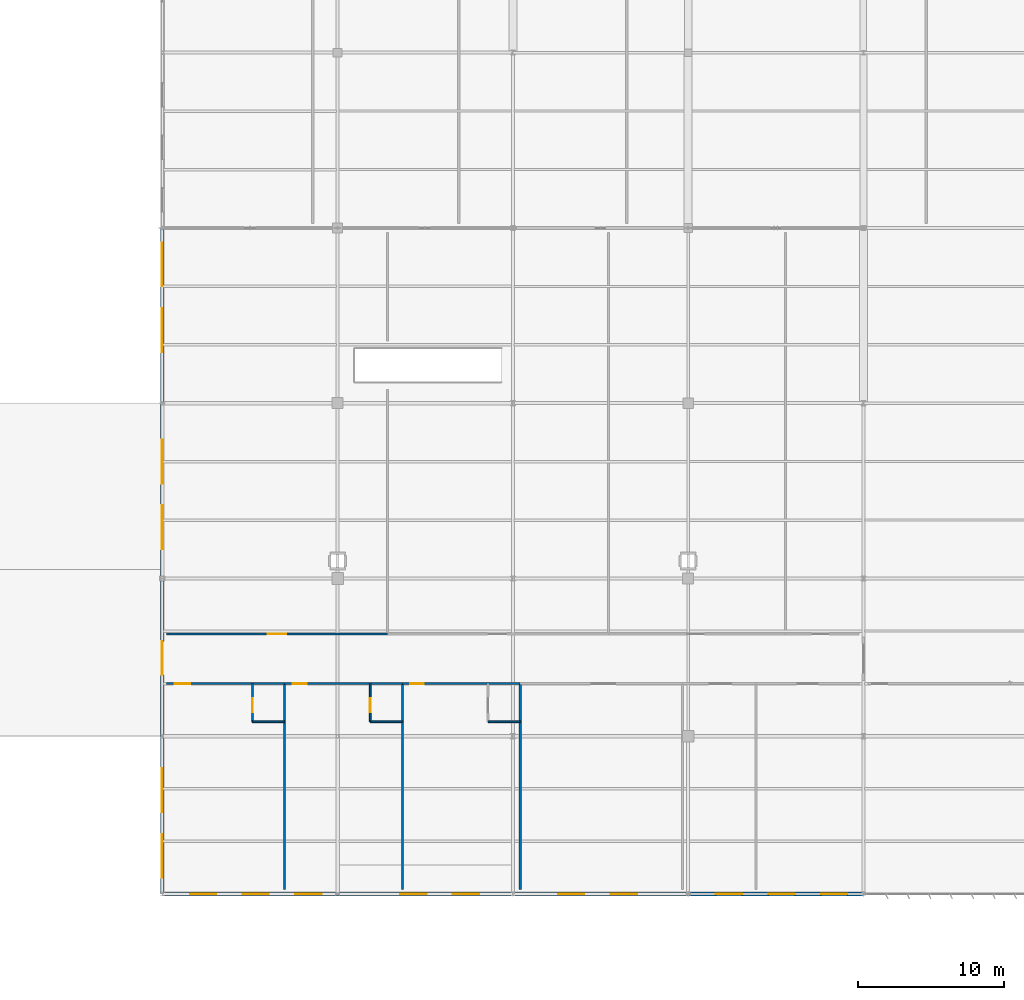
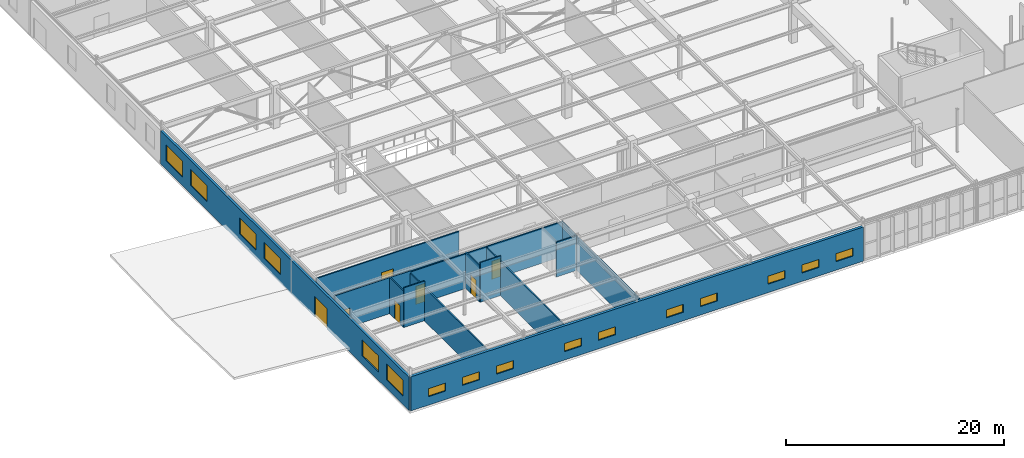
# One storey, part 159 of 199: 16 windows, 14 walls, 7 doors, 23 openings.
"""IFC4 building model written with IfcOpenShell, lengths in metres."""

from ifc_helpers import new_model, si_unit, direction, frame, frame_2d, origin, place, context, subcontext, project, spatial, rectangle, extrude, material, layer, layer_set, type_object, element, fill, save


model = new_model("IFC4")

# Units and contexts
model_context = context("Model", 3, precision=1e-05, world=origin(), true_north=direction((0.0, 1.0)))
body_context = subcontext(model_context, "Body", "Model", "MODEL_VIEW")
ifc_project = project(units=[si_unit("LENGTHUNIT", "METRE"), si_unit("AREAUNIT", "SQUARE_METRE"), si_unit("VOLUMEUNIT", "CUBIC_METRE"), si_unit("PLANEANGLEUNIT", "RADIAN"), si_unit("MASSUNIT", "GRAM", prefix="KILO")], contexts=[model_context])

# Site, building, storey
site_placement = place(None, origin())
site = spatial("IfcSite", under=ifc_project, at=site_placement, CompositionType="ELEMENT")
building_placement = place(site_placement, origin())
building = spatial("IfcBuilding", under=site, at=building_placement, Name="Tarnwether General Hospital", CompositionType="ELEMENT")
storey_placement = place(building_placement, origin())
storey = spatial("IfcBuildingStorey", under=building, at=storey_placement, Name="L00", CompositionType="ELEMENT", Elevation=0.0)

# Wall, openings, door, windows
ifc_material_1 = material(Name="Folded zinc-titanium cladding")
ifc_layer_1 = layer(ifc_material_1, 0.239990234375)
ifc_layer_set_1 = layer_set([ifc_layer_1], Name="Folded zinc-titanium cladding")
wall_type_1 = type_object("IfcWallType", Name="WL-EX240", PredefinedType="STANDARD", material=ifc_layer_set_1)
wall_1_placement = place(storey_placement, frame((0.0, 0.0, 0.0), z_axis=(0.0, 0.0, 1.0), x_axis=(0.0, 1.0, 0.0)))
wall_1 = element("IfcWall", 1, at=wall_1_placement, inside=storey, type_object=wall_type_1, Name="L00 West Scarp Overlook Wall EW-L00-0280", PredefinedType="STANDARD", context=body_context, shape_type="SweptSolid", body=[
    extrude(rectangle(XDim=45.60009765625, YDim=0.239990234375, at=frame_2d((22.800048828125, 0.0))), origin(), (0.0, 0.0, 1.0), 3.738037109375),
])
opening_1_placement = place(wall_1_placement, frame((15.0, 0.0, 0.0)))
opening_1 = element("IfcOpeningElement", 2, at=opening_1_placement, cuts=wall_1, Name="Opening ED-02", PredefinedType="OPENING", context=body_context, shape_type="SweptSolid", body=[
    extrude(rectangle(XDim=2.300048828125, YDim=2.300048828125, at=frame_2d((1.14990234375, 1.14990234375))), frame((0.0, 0.1298828125, 0.0), z_axis=(0.0, -1.0, 0.0), x_axis=(1.0, 0.0, 0.0)), (0.0, 0.0, 1.0), 0.260009765625),
])
opening_2_placement = place(wall_1_placement, frame((1.10009765625, 0.0, 0.949951171875)))
opening_2 = element("IfcOpeningElement", 3, at=opening_2_placement, cuts=wall_1, Name="Opening W-12", PredefinedType="OPENING", context=body_context, shape_type="SweptSolid", body=[
    extrude(rectangle(XDim=3.0, YDim=1.800048828125, at=frame_2d((1.5, 0.89990234375))), frame((0.0, 0.1298828125, 0.0), z_axis=(0.0, -1.0, 0.0), x_axis=(1.0, 0.0, 0.0)), (0.0, 0.0, 1.0), 0.260009765625),
])
opening_3_placement = place(wall_1_placement, frame((5.60009765625, 0.0, 0.949951171875)))
opening_3 = element("IfcOpeningElement", 4, at=opening_3_placement, cuts=wall_1, Name="Opening W-12", PredefinedType="OPENING", context=body_context, shape_type="SweptSolid", body=[
    extrude(rectangle(XDim=3.0, YDim=1.800048828125, at=frame_2d((1.5, 0.89990234375))), frame((0.0, 0.1298828125, 0.0), z_axis=(0.0, -1.0, 0.0), x_axis=(1.0, 0.0, 0.0)), (0.0, 0.0, 1.0), 0.260009765625),
])
opening_4_placement = place(wall_1_placement, frame((23.60009765625, 0.0, 0.949951171875)))
opening_4 = element("IfcOpeningElement", 5, at=opening_4_placement, cuts=wall_1, Name="Opening W-12", PredefinedType="OPENING", context=body_context, shape_type="SweptSolid", body=[
    extrude(rectangle(XDim=3.0, YDim=1.800048828125, at=frame_2d((1.5, 0.89990234375))), frame((0.0, 0.1298828125, 0.0), z_axis=(0.0, -1.0, 0.0), x_axis=(1.0, 0.0, 0.0)), (0.0, 0.0, 1.0), 0.260009765625),
])
opening_5_placement = place(wall_1_placement, frame((28.10009765625, 0.0, 0.949951171875)))
opening_5 = element("IfcOpeningElement", 6, at=opening_5_placement, cuts=wall_1, Name="Opening W-12", PredefinedType="OPENING", context=body_context, shape_type="SweptSolid", body=[
    extrude(rectangle(XDim=3.0, YDim=1.800048828125, at=frame_2d((1.5, 0.89990234375))), frame((0.0, 0.1298828125, 0.0), z_axis=(0.0, -1.0, 0.0), x_axis=(1.0, 0.0, 0.0)), (0.0, 0.0, 1.0), 0.260009765625),
])
opening_6_placement = place(wall_1_placement, frame((37.10009765625, 0.0, 0.949951171875)))
opening_6 = element("IfcOpeningElement", 7, at=opening_6_placement, cuts=wall_1, Name="Opening W-12", PredefinedType="OPENING", context=body_context, shape_type="SweptSolid", body=[
    extrude(rectangle(XDim=3.0, YDim=1.800048828125, at=frame_2d((1.5, 0.89990234375))), frame((0.0, 0.1298828125, 0.0), z_axis=(0.0, -1.0, 0.0), x_axis=(1.0, 0.0, 0.0)), (0.0, 0.0, 1.0), 0.260009765625),
])
opening_7_placement = place(wall_1_placement, frame((41.60009765625, 0.0, 0.949951171875)))
opening_7 = element("IfcOpeningElement", 8, at=opening_7_placement, cuts=wall_1, Name="Opening W-12", PredefinedType="OPENING", context=body_context, shape_type="SweptSolid", body=[
    extrude(rectangle(XDim=3.0, YDim=1.800048828125, at=frame_2d((1.5, 0.89990234375))), frame((0.0, 0.1298828125, 0.0), z_axis=(0.0, -1.0, 0.0), x_axis=(1.0, 0.0, 0.0)), (0.0, 0.0, 1.0), 0.260009765625),
])
ifc_material_2 = material(Name="Anodised aluminium", Category="aluminium")
door_type_1 = type_object("IfcDoorType", Name="DR-EX02", OperationType="NOTDEFINED", PredefinedType="DOOR", material=ifc_material_2)
door_1_placement = place(opening_1_placement, origin())
door_1 = element("IfcDoor", 9, at=door_1_placement, inside=storey, type_object=door_type_1, Name="L00 West ED Protected Exit Door ED-L00-0010", OperationType="DOUBLE_DOOR_SINGLE_SWING", OverallHeight=2.300048828125, OverallWidth=2.300048828125, PredefinedType="DOOR", context=body_context, shape_type="SweptSolid", body=[
    extrude(rectangle(XDim=2.300048828125, YDim=2.300048828125, at=frame_2d((1.14990234375, 1.14990234375))), frame((0.0, 0.02490234375, 0.0), z_axis=(0.0, -1.0, 0.0), x_axis=(1.0, 0.0, 0.0)), (0.0, 0.0, 1.0), 0.050048828125),
])
fill(opening_1, door_1)
ifc_material_3 = material(Name="Double glazed low-E glass", Category="glass")
window_type_1 = type_object("IfcWindowType", Name="WN-12", PartitioningType="TRIPLE_PANEL_VERTICAL", PredefinedType="WINDOW", material=ifc_material_3)
window_1_placement = place(opening_2_placement, origin())
window_1 = element("IfcWindow", 10, at=window_1_placement, inside=storey, type_object=window_type_1, Name="Window WN-L00-0013", OverallHeight=1.800048828125, OverallWidth=3.0, PartitioningType="TRIPLE_PANEL_VERTICAL", PredefinedType="WINDOW", context=body_context, shape_type="SweptSolid", body=[
    extrude(rectangle(XDim=3.0, YDim=1.800048828125, at=frame_2d((1.5, 0.89990234375))), frame((0.0, 0.030029296875, 0.0), z_axis=(0.0, -1.0, 0.0), x_axis=(1.0, 0.0, 0.0)), (0.0, 0.0, 1.0), 0.06005859375),
])
fill(opening_2, window_1)
window_2_placement = place(opening_3_placement, origin())
window_2 = element("IfcWindow", 11, at=window_2_placement, inside=storey, type_object=window_type_1, Name="Window WN-L00-0014", OverallHeight=1.800048828125, OverallWidth=3.0, PartitioningType="TRIPLE_PANEL_VERTICAL", PredefinedType="WINDOW", context=body_context, shape_type="SweptSolid", body=[
    extrude(rectangle(XDim=3.0, YDim=1.800048828125, at=frame_2d((1.5, 0.89990234375))), frame((0.0, 0.030029296875, 0.0), z_axis=(0.0, -1.0, 0.0), x_axis=(1.0, 0.0, 0.0)), (0.0, 0.0, 1.0), 0.06005859375),
])
fill(opening_3, window_2)
window_3_placement = place(opening_4_placement, origin())
window_3 = element("IfcWindow", 12, at=window_3_placement, inside=storey, type_object=window_type_1, Name="Window WN-L00-0015", OverallHeight=1.800048828125, OverallWidth=3.0, PartitioningType="TRIPLE_PANEL_VERTICAL", PredefinedType="WINDOW", context=body_context, shape_type="SweptSolid", body=[
    extrude(rectangle(XDim=3.0, YDim=1.800048828125, at=frame_2d((1.5, 0.89990234375))), frame((0.0, 0.030029296875, 0.0), z_axis=(0.0, -1.0, 0.0), x_axis=(1.0, 0.0, 0.0)), (0.0, 0.0, 1.0), 0.06005859375),
])
fill(opening_4, window_3)
window_4_placement = place(opening_5_placement, origin())
window_4 = element("IfcWindow", 13, at=window_4_placement, inside=storey, type_object=window_type_1, Name="Window WN-L00-0016", OverallHeight=1.800048828125, OverallWidth=3.0, PartitioningType="TRIPLE_PANEL_VERTICAL", PredefinedType="WINDOW", context=body_context, shape_type="SweptSolid", body=[
    extrude(rectangle(XDim=3.0, YDim=1.800048828125, at=frame_2d((1.5, 0.89990234375))), frame((0.0, 0.030029296875, 0.0), z_axis=(0.0, -1.0, 0.0), x_axis=(1.0, 0.0, 0.0)), (0.0, 0.0, 1.0), 0.06005859375),
])
fill(opening_5, window_4)
window_5_placement = place(opening_6_placement, origin())
window_5 = element("IfcWindow", 14, at=window_5_placement, inside=storey, type_object=window_type_1, Name="Window WN-L00-0017", OverallHeight=1.800048828125, OverallWidth=3.0, PartitioningType="TRIPLE_PANEL_VERTICAL", PredefinedType="WINDOW", context=body_context, shape_type="SweptSolid", body=[
    extrude(rectangle(XDim=3.0, YDim=1.800048828125, at=frame_2d((1.5, 0.89990234375))), frame((0.0, 0.030029296875, 0.0), z_axis=(0.0, -1.0, 0.0), x_axis=(1.0, 0.0, 0.0)), (0.0, 0.0, 1.0), 0.06005859375),
])
fill(opening_6, window_5)
window_6_placement = place(opening_7_placement, origin())
window_6 = element("IfcWindow", 15, at=window_6_placement, inside=storey, type_object=window_type_1, Name="Window WN-L00-0018", OverallHeight=1.800048828125, OverallWidth=3.0, PartitioningType="TRIPLE_PANEL_VERTICAL", PredefinedType="WINDOW", context=body_context, shape_type="SweptSolid", body=[
    extrude(rectangle(XDim=3.0, YDim=1.800048828125, at=frame_2d((1.5, 0.89990234375))), frame((0.0, 0.030029296875, 0.0), z_axis=(0.0, -1.0, 0.0), x_axis=(1.0, 0.0, 0.0)), (0.0, 0.0, 1.0), 0.06005859375),
])
fill(opening_7, window_6)

# Wall, openings, windows
ifc_material_4 = material(Name="Precast concrete 40 MPa", Category="concrete")
ifc_layer_2 = layer(ifc_material_4, 0.280029296875)
ifc_layer_set_2 = layer_set([ifc_layer_2], Name="Precast concrete 40 MPa")
wall_type_2 = type_object("IfcWallType", Name="WL-EX280", PredefinedType="STANDARD", material=ifc_layer_set_2)
wall_2_placement = place(storey_placement, frame((48.0, 0.0, 0.0), z_axis=(0.0, 0.0, 1.0), x_axis=(-1.0, 0.0, 0.0)))
wall_2 = element("IfcWall", 16, at=wall_2_placement, inside=storey, type_object=wall_type_2, Name="L00 South Street Wall EW-L00-0287", PredefinedType="STANDARD", context=body_context, shape_type="SweptSolid", body=[
    extrude(rectangle(XDim=48.0, YDim=0.280029296875, at=frame_2d((24.0, 0.0))), origin(), (0.0, 0.0, 1.0), 3.827880859375),
])
opening_8_placement = place(wall_2_placement, frame((1.10009765625, 0.0, 0.949951171875)))
opening_8 = element("IfcOpeningElement", 17, at=opening_8_placement, cuts=wall_2, Name="Opening W-18", PredefinedType="OPENING", context=body_context, shape_type="SweptSolid", body=[
    extrude(rectangle(XDim=1.800048828125, YDim=0.89990234375, at=frame_2d((0.89990234375, 0.449951171875))), frame((0.0, 0.14990234375, 0.0), z_axis=(0.0, -1.0, 0.0), x_axis=(1.0, 0.0, 0.0)), (0.0, 0.0, 1.0), 0.300048828125),
])
opening_9_placement = place(wall_2_placement, frame((4.699951171875, 0.0, 0.949951171875)))
opening_9 = element("IfcOpeningElement", 18, at=opening_9_placement, cuts=wall_2, Name="Opening W-18", PredefinedType="OPENING", context=body_context, shape_type="SweptSolid", body=[
    extrude(rectangle(XDim=1.800048828125, YDim=0.89990234375, at=frame_2d((0.89990234375, 0.449951171875))), frame((0.0, 0.14990234375, 0.0), z_axis=(0.0, -1.0, 0.0), x_axis=(1.0, 0.0, 0.0)), (0.0, 0.0, 1.0), 0.300048828125),
])
opening_10_placement = place(wall_2_placement, frame((8.300048828125, 0.0, 0.949951171875)))
opening_10 = element("IfcOpeningElement", 19, at=opening_10_placement, cuts=wall_2, Name="Opening W-18", PredefinedType="OPENING", context=body_context, shape_type="SweptSolid", body=[
    extrude(rectangle(XDim=1.800048828125, YDim=0.89990234375, at=frame_2d((0.89990234375, 0.449951171875))), frame((0.0, 0.14990234375, 0.0), z_axis=(0.0, -1.0, 0.0), x_axis=(1.0, 0.0, 0.0)), (0.0, 0.0, 1.0), 0.300048828125),
])
opening_11_placement = place(wall_2_placement, frame((15.5, 0.0, 0.949951171875)))
opening_11 = element("IfcOpeningElement", 20, at=opening_11_placement, cuts=wall_2, Name="Opening W-18", PredefinedType="OPENING", context=body_context, shape_type="SweptSolid", body=[
    extrude(rectangle(XDim=1.800048828125, YDim=0.89990234375, at=frame_2d((0.89990234375, 0.449951171875))), frame((0.0, 0.14990234375, 0.0), z_axis=(0.0, -1.0, 0.0), x_axis=(1.0, 0.0, 0.0)), (0.0, 0.0, 1.0), 0.300048828125),
])
opening_12_placement = place(wall_2_placement, frame((19.10009765625, 0.0, 0.949951171875)))
opening_12 = element("IfcOpeningElement", 21, at=opening_12_placement, cuts=wall_2, Name="Opening W-18", PredefinedType="OPENING", context=body_context, shape_type="SweptSolid", body=[
    extrude(rectangle(XDim=1.800048828125, YDim=0.89990234375, at=frame_2d((0.89990234375, 0.449951171875))), frame((0.0, 0.14990234375, 0.0), z_axis=(0.0, -1.0, 0.0), x_axis=(1.0, 0.0, 0.0)), (0.0, 0.0, 1.0), 0.300048828125),
])
opening_13_placement = place(wall_2_placement, frame((26.300048828125, 0.0, 0.949951171875)))
opening_13 = element("IfcOpeningElement", 22, at=opening_13_placement, cuts=wall_2, Name="Opening W-18", PredefinedType="OPENING", context=body_context, shape_type="SweptSolid", body=[
    extrude(rectangle(XDim=1.800048828125, YDim=0.89990234375, at=frame_2d((0.89990234375, 0.449951171875))), frame((0.0, 0.14990234375, 0.0), z_axis=(0.0, -1.0, 0.0), x_axis=(1.0, 0.0, 0.0)), (0.0, 0.0, 1.0), 0.300048828125),
])
opening_14_placement = place(wall_2_placement, frame((29.89990234375, 0.0, 0.949951171875)))
opening_14 = element("IfcOpeningElement", 23, at=opening_14_placement, cuts=wall_2, Name="Opening W-18", PredefinedType="OPENING", context=body_context, shape_type="SweptSolid", body=[
    extrude(rectangle(XDim=1.800048828125, YDim=0.89990234375, at=frame_2d((0.89990234375, 0.449951171875))), frame((0.0, 0.14990234375, 0.0), z_axis=(0.0, -1.0, 0.0), x_axis=(1.0, 0.0, 0.0)), (0.0, 0.0, 1.0), 0.300048828125),
])
opening_15_placement = place(wall_2_placement, frame((37.10009765625, 0.0, 0.949951171875)))
opening_15 = element("IfcOpeningElement", 24, at=opening_15_placement, cuts=wall_2, Name="Opening W-18", PredefinedType="OPENING", context=body_context, shape_type="SweptSolid", body=[
    extrude(rectangle(XDim=1.800048828125, YDim=0.89990234375, at=frame_2d((0.89990234375, 0.449951171875))), frame((0.0, 0.14990234375, 0.0), z_axis=(0.0, -1.0, 0.0), x_axis=(1.0, 0.0, 0.0)), (0.0, 0.0, 1.0), 0.300048828125),
])
opening_16_placement = place(wall_2_placement, frame((40.699951171875, 0.0, 0.949951171875)))
opening_16 = element("IfcOpeningElement", 25, at=opening_16_placement, cuts=wall_2, Name="Opening W-18", PredefinedType="OPENING", context=body_context, shape_type="SweptSolid", body=[
    extrude(rectangle(XDim=1.800048828125, YDim=0.89990234375, at=frame_2d((0.89990234375, 0.449951171875))), frame((0.0, 0.14990234375, 0.0), z_axis=(0.0, -1.0, 0.0), x_axis=(1.0, 0.0, 0.0)), (0.0, 0.0, 1.0), 0.300048828125),
])
opening_17_placement = place(wall_2_placement, frame((44.300048828125, 0.0, 0.949951171875)))
opening_17 = element("IfcOpeningElement", 26, at=opening_17_placement, cuts=wall_2, Name="Opening W-18", PredefinedType="OPENING", context=body_context, shape_type="SweptSolid", body=[
    extrude(rectangle(XDim=1.800048828125, YDim=0.89990234375, at=frame_2d((0.89990234375, 0.449951171875))), frame((0.0, 0.14990234375, 0.0), z_axis=(0.0, -1.0, 0.0), x_axis=(1.0, 0.0, 0.0)), (0.0, 0.0, 1.0), 0.300048828125),
])
ifc_material_5 = material(Name="Double glazed low-E glass", Category="glass")
window_type_2 = type_object("IfcWindowType", Name="WN-18", PartitioningType="DOUBLE_PANEL_HORIZONTAL", PredefinedType="WINDOW", material=ifc_material_5)
window_7_placement = place(opening_8_placement, origin())
window_7 = element("IfcWindow", 27, at=window_7_placement, inside=storey, type_object=window_type_2, Name="Window WN-L00-0046", OverallHeight=0.89990234375, OverallWidth=1.800048828125, PartitioningType="DOUBLE_PANEL_HORIZONTAL", PredefinedType="WINDOW", context=body_context, shape_type="SweptSolid", body=[
    extrude(rectangle(XDim=1.800048828125, YDim=0.89990234375, at=frame_2d((0.89990234375, 0.449951171875))), frame((0.0, 0.030029296875, 0.0), z_axis=(0.0, -1.0, 0.0), x_axis=(1.0, 0.0, 0.0)), (0.0, 0.0, 1.0), 0.06005859375),
])
fill(opening_8, window_7)
window_8_placement = place(opening_9_placement, origin())
window_8 = element("IfcWindow", 28, at=window_8_placement, inside=storey, type_object=window_type_2, Name="Window WN-L00-0047", OverallHeight=0.89990234375, OverallWidth=1.800048828125, PartitioningType="DOUBLE_PANEL_HORIZONTAL", PredefinedType="WINDOW", context=body_context, shape_type="SweptSolid", body=[
    extrude(rectangle(XDim=1.800048828125, YDim=0.89990234375, at=frame_2d((0.89990234375, 0.449951171875))), frame((0.0, 0.030029296875, 0.0), z_axis=(0.0, -1.0, 0.0), x_axis=(1.0, 0.0, 0.0)), (0.0, 0.0, 1.0), 0.06005859375),
])
fill(opening_9, window_8)
window_9_placement = place(opening_10_placement, origin())
window_9 = element("IfcWindow", 29, at=window_9_placement, inside=storey, type_object=window_type_2, Name="Window WN-L00-0048", OverallHeight=0.89990234375, OverallWidth=1.800048828125, PartitioningType="DOUBLE_PANEL_HORIZONTAL", PredefinedType="WINDOW", context=body_context, shape_type="SweptSolid", body=[
    extrude(rectangle(XDim=1.800048828125, YDim=0.89990234375, at=frame_2d((0.89990234375, 0.449951171875))), frame((0.0, 0.030029296875, 0.0), z_axis=(0.0, -1.0, 0.0), x_axis=(1.0, 0.0, 0.0)), (0.0, 0.0, 1.0), 0.06005859375),
])
fill(opening_10, window_9)
window_10_placement = place(opening_11_placement, origin())
window_10 = element("IfcWindow", 30, at=window_10_placement, inside=storey, type_object=window_type_2, Name="Window WN-L00-0049", OverallHeight=0.89990234375, OverallWidth=1.800048828125, PartitioningType="DOUBLE_PANEL_HORIZONTAL", PredefinedType="WINDOW", context=body_context, shape_type="SweptSolid", body=[
    extrude(rectangle(XDim=1.800048828125, YDim=0.89990234375, at=frame_2d((0.89990234375, 0.449951171875))), frame((0.0, 0.030029296875, 0.0), z_axis=(0.0, -1.0, 0.0), x_axis=(1.0, 0.0, 0.0)), (0.0, 0.0, 1.0), 0.06005859375),
])
fill(opening_11, window_10)
window_11_placement = place(opening_12_placement, origin())
window_11 = element("IfcWindow", 31, at=window_11_placement, inside=storey, type_object=window_type_2, Name="Window WN-L00-0050", OverallHeight=0.89990234375, OverallWidth=1.800048828125, PartitioningType="DOUBLE_PANEL_HORIZONTAL", PredefinedType="WINDOW", context=body_context, shape_type="SweptSolid", body=[
    extrude(rectangle(XDim=1.800048828125, YDim=0.89990234375, at=frame_2d((0.89990234375, 0.449951171875))), frame((0.0, 0.030029296875, 0.0), z_axis=(0.0, -1.0, 0.0), x_axis=(1.0, 0.0, 0.0)), (0.0, 0.0, 1.0), 0.06005859375),
])
fill(opening_12, window_11)
window_12_placement = place(opening_13_placement, origin())
window_12 = element("IfcWindow", 32, at=window_12_placement, inside=storey, type_object=window_type_2, Name="Window WN-L00-0051", OverallHeight=0.89990234375, OverallWidth=1.800048828125, PartitioningType="DOUBLE_PANEL_HORIZONTAL", PredefinedType="WINDOW", context=body_context, shape_type="SweptSolid", body=[
    extrude(rectangle(XDim=1.800048828125, YDim=0.89990234375, at=frame_2d((0.89990234375, 0.449951171875))), frame((0.0, 0.030029296875, 0.0), z_axis=(0.0, -1.0, 0.0), x_axis=(1.0, 0.0, 0.0)), (0.0, 0.0, 1.0), 0.06005859375),
])
fill(opening_13, window_12)
window_13_placement = place(opening_14_placement, origin())
window_13 = element("IfcWindow", 33, at=window_13_placement, inside=storey, type_object=window_type_2, Name="Window WN-L00-0052", OverallHeight=0.89990234375, OverallWidth=1.800048828125, PartitioningType="DOUBLE_PANEL_HORIZONTAL", PredefinedType="WINDOW", context=body_context, shape_type="SweptSolid", body=[
    extrude(rectangle(XDim=1.800048828125, YDim=0.89990234375, at=frame_2d((0.89990234375, 0.449951171875))), frame((0.0, 0.030029296875, 0.0), z_axis=(0.0, -1.0, 0.0), x_axis=(1.0, 0.0, 0.0)), (0.0, 0.0, 1.0), 0.06005859375),
])
fill(opening_14, window_13)
window_14_placement = place(opening_15_placement, origin())
window_14 = element("IfcWindow", 34, at=window_14_placement, inside=storey, type_object=window_type_2, Name="Window WN-L00-0053", OverallHeight=0.89990234375, OverallWidth=1.800048828125, PartitioningType="DOUBLE_PANEL_HORIZONTAL", PredefinedType="WINDOW", context=body_context, shape_type="SweptSolid", body=[
    extrude(rectangle(XDim=1.800048828125, YDim=0.89990234375, at=frame_2d((0.89990234375, 0.449951171875))), frame((0.0, 0.030029296875, 0.0), z_axis=(0.0, -1.0, 0.0), x_axis=(1.0, 0.0, 0.0)), (0.0, 0.0, 1.0), 0.06005859375),
])
fill(opening_15, window_14)
window_15_placement = place(opening_16_placement, origin())
window_15 = element("IfcWindow", 35, at=window_15_placement, inside=storey, type_object=window_type_2, Name="Window WN-L00-0054", OverallHeight=0.89990234375, OverallWidth=1.800048828125, PartitioningType="DOUBLE_PANEL_HORIZONTAL", PredefinedType="WINDOW", context=body_context, shape_type="SweptSolid", body=[
    extrude(rectangle(XDim=1.800048828125, YDim=0.89990234375, at=frame_2d((0.89990234375, 0.449951171875))), frame((0.0, 0.030029296875, 0.0), z_axis=(0.0, -1.0, 0.0), x_axis=(1.0, 0.0, 0.0)), (0.0, 0.0, 1.0), 0.06005859375),
])
fill(opening_16, window_15)
window_16_placement = place(opening_17_placement, origin())
window_16 = element("IfcWindow", 36, at=window_16_placement, inside=storey, type_object=window_type_2, Name="Window WN-L00-0055", OverallHeight=0.89990234375, OverallWidth=1.800048828125, PartitioningType="DOUBLE_PANEL_HORIZONTAL", PredefinedType="WINDOW", context=body_context, shape_type="SweptSolid", body=[
    extrude(rectangle(XDim=1.800048828125, YDim=0.89990234375, at=frame_2d((0.89990234375, 0.449951171875))), frame((0.0, 0.030029296875, 0.0), z_axis=(0.0, -1.0, 0.0), x_axis=(1.0, 0.0, 0.0)), (0.0, 0.0, 1.0), 0.06005859375),
])
fill(opening_17, window_16)

# Wall, opening, door
ifc_material_6 = material(Name="Gypsum plasterboard")
ifc_layer_3 = layer(ifc_material_6, 0.1201171875)
ifc_layer_set_3 = layer_set([ifc_layer_3], Name="Gypsum plasterboard")
wall_type_3 = type_object("IfcWallType", Name="WL-PT120", PredefinedType="PARTITIONING", material=ifc_layer_set_3)
wall_3_placement = place(storey_placement, frame((6.16796875, 11.800048828125, 0.0), z_axis=(0.0, 0.0, 1.0), x_axis=(0.0, 1.0, 0.0)))
wall_3 = element("IfcWall", 37, at=wall_3_placement, inside=storey, type_object=wall_type_3, Name="Interior Partition PT-L00-0063", PredefinedType="PARTITIONING", context=body_context, shape_type="SweptSolid", body=[
    extrude(rectangle(XDim=2.599853515625, YDim=0.1201171875, at=frame_2d((1.2998046875, 0.0))), origin(), (0.0, 0.0, 1.0), 4.071044921875),
])
opening_18_placement = place(wall_3_placement, frame((0.64990234375, 0.0, 0.0)))
opening_18 = element("IfcOpeningElement", 38, at=opening_18_placement, cuts=wall_3, Name="Opening D-10", PredefinedType="OPENING", context=body_context, shape_type="SweptSolid", body=[
    extrude(rectangle(XDim=0.9599609375, YDim=2.06005859375, at=frame_2d((0.47998046875, 1.030029296875))), frame((0.0, 0.070068359375, 0.0), z_axis=(0.0, -1.0, 0.0), x_axis=(1.0, 0.0, 0.0)), (0.0, 0.0, 1.0), 0.14013671875),
])
ifc_material_7 = material(Name="Anodised aluminium", Category="aluminium")
door_type_2 = type_object("IfcDoorType", Name="DR-IN10", OperationType="NOTDEFINED", PredefinedType="DOOR", material=ifc_material_7)
door_2_placement = place(opening_18_placement, origin())
door_2 = element("IfcDoor", 39, at=door_2_placement, inside=storey, type_object=door_type_2, Name="Interior Door DR-L00-0037", OperationType="SINGLE_SWING_LEFT", OverallHeight=2.06005859375, OverallWidth=0.9599609375, PredefinedType="DOOR", context=body_context, shape_type="SweptSolid", body=[
    extrude(rectangle(XDim=0.9599609375, YDim=2.06005859375, at=frame_2d((0.47998046875, 1.030029296875))), frame((0.0, 0.02490234375, 0.0), z_axis=(0.0, -1.0, 0.0), x_axis=(1.0, 0.0, 0.0)), (0.0, 0.0, 1.0), 0.050048828125),
])
fill(opening_18, door_2)

# Wall
wall_4_placement = place(storey_placement, frame((6.16796875, 11.800048828125, 0.0), z_axis=(0.0, 0.0, 1.0), x_axis=(1.0, 0.0, 0.0)))
element("IfcWall", 40, at=wall_4_placement, inside=storey, type_object=wall_type_3, Name="Interior Partition PT-L00-0064", PredefinedType="PARTITIONING", context=body_context, shape_type="SweptSolid", body=[
    extrude(rectangle(XDim=2.199951171875, YDim=0.1201171875, at=frame_2d((1.10009765625, 0.0))), origin(), (0.0, 0.0, 1.0), 4.445068359375),
])

# Wall, opening, door
wall_5_placement = place(storey_placement, frame((14.236083984375, 11.800048828125, 0.0), z_axis=(0.0, 0.0, 1.0), x_axis=(0.0, 1.0, 0.0)))
wall_5 = element("IfcWall", 41, at=wall_5_placement, inside=storey, type_object=wall_type_3, Name="Interior Partition PT-L00-0067", PredefinedType="PARTITIONING", context=body_context, shape_type="SweptSolid", body=[
    extrude(rectangle(XDim=2.599853515625, YDim=0.1201171875, at=frame_2d((1.2998046875, 0.0))), origin(), (0.0, 0.0, 1.0), 4.073974609375),
])
opening_19_placement = place(wall_5_placement, frame((0.64990234375, 0.0, 0.0)))
opening_19 = element("IfcOpeningElement", 42, at=opening_19_placement, cuts=wall_5, Name="Opening D-10", PredefinedType="OPENING", context=body_context, shape_type="SweptSolid", body=[
    extrude(rectangle(XDim=0.9599609375, YDim=2.06005859375, at=frame_2d((0.47998046875, 1.030029296875))), frame((0.0, 0.070068359375, 0.0), z_axis=(0.0, -1.0, 0.0), x_axis=(1.0, 0.0, 0.0)), (0.0, 0.0, 1.0), 0.14013671875),
])
door_3_placement = place(opening_19_placement, origin())
door_3 = element("IfcDoor", 43, at=door_3_placement, inside=storey, type_object=door_type_2, Name="Interior Door DR-L00-0039", OperationType="SINGLE_SWING_LEFT", OverallHeight=2.06005859375, OverallWidth=0.9599609375, PredefinedType="DOOR", context=body_context, shape_type="SweptSolid", body=[
    extrude(rectangle(XDim=0.9599609375, YDim=2.06005859375, at=frame_2d((0.47998046875, 1.030029296875))), frame((0.0, 0.02490234375, 0.0), z_axis=(0.0, -1.0, 0.0), x_axis=(1.0, 0.0, 0.0)), (0.0, 0.0, 1.0), 0.050048828125),
])
fill(opening_19, door_3)

# Walls
wall_6_placement = place(storey_placement, frame((14.236083984375, 11.800048828125, 0.0), z_axis=(0.0, 0.0, 1.0), x_axis=(1.0, 0.0, 0.0)))
element("IfcWall", 44, at=wall_6_placement, inside=storey, type_object=wall_type_3, Name="Interior Partition PT-L00-0068", PredefinedType="PARTITIONING", context=body_context, shape_type="SweptSolid", body=[
    extrude(rectangle(XDim=2.199951171875, YDim=0.1201171875, at=frame_2d((1.10009765625, 0.0))), origin(), (0.0, 0.0, 1.0), 4.445068359375),
])
wall_7_placement = place(storey_placement, frame((22.303955078125, 11.800048828125, 0.0), z_axis=(0.0, 0.0, 1.0), x_axis=(1.0, 0.0, 0.0)))
element("IfcWall", 45, at=wall_7_placement, inside=storey, type_object=wall_type_3, Name="Interior Partition PT-L00-0072", PredefinedType="PARTITIONING", context=body_context, shape_type="SweptSolid", body=[
    extrude(rectangle(XDim=2.199951171875, YDim=0.1201171875, at=frame_2d((1.10009765625, 0.0))), origin(), (0.0, 0.0, 1.0), 3.902099609375),
])

# Wall, opening, door
ifc_material_8 = material(Name="Gypsum plasterboard")
ifc_layer_4 = layer(ifc_material_8, 0.139892578125)
ifc_layer_set_4 = layer_set([ifc_layer_4], Name="Gypsum plasterboard")
wall_type_4 = type_object("IfcWallType", Name="WL-PT140", PredefinedType="PARTITIONING", material=ifc_layer_set_4)
wall_8_placement = place(storey_placement, frame((0.300048828125, 14.39990234375, 0.0), z_axis=(0.0, 0.0, 1.0), x_axis=(1.0, 0.0, 0.0)))
wall_8 = element("IfcWall", 46, at=wall_8_placement, inside=storey, type_object=wall_type_4, Name="Interior Partition PT-L00-0065", PredefinedType="PARTITIONING", context=body_context, shape_type="SweptSolid", body=[
    extrude(rectangle(XDim=8.06787109375, YDim=0.139892578125, at=frame_2d((4.033935546875, 0.0))), origin(), (0.0, 0.0, 1.0), 4.027099609375),
])
opening_20_placement = place(wall_8_placement, frame((0.550048828125, 0.0, 0.0)))
opening_20 = element("IfcOpeningElement", 47, at=opening_20_placement, cuts=wall_8, Name="Opening D-08", PredefinedType="OPENING", context=body_context, shape_type="SweptSolid", body=[
    extrude(rectangle(XDim=1.06005859375, YDim=2.10009765625, at=frame_2d((0.530029296875, 1.050048828125))), frame((0.0, 0.080078125, 0.0), z_axis=(0.0, -1.0, 0.0), x_axis=(1.0, 0.0, 0.0)), (0.0, 0.0, 1.0), 0.159912109375),
])
ifc_material_9 = material(Name="Anodised aluminium", Category="aluminium")
door_type_3 = type_object("IfcDoorType", Name="DR-IN08", OperationType="NOTDEFINED", PredefinedType="DOOR", material=ifc_material_9)
door_4_placement = place(opening_20_placement, origin())
door_4 = element("IfcDoor", 48, at=door_4_placement, inside=storey, type_object=door_type_3, Name="Interior Door DR-L00-0038", OperationType="SINGLE_SWING_RIGHT", OverallHeight=2.10009765625, OverallWidth=1.06005859375, PredefinedType="DOOR", context=body_context, shape_type="SweptSolid", body=[
    extrude(rectangle(XDim=1.06005859375, YDim=2.10009765625, at=frame_2d((0.530029296875, 1.050048828125))), frame((0.0, 0.02490234375, 0.0), z_axis=(0.0, -1.0, 0.0), x_axis=(1.0, 0.0, 0.0)), (0.0, 0.0, 1.0), 0.050048828125),
])
fill(opening_20, door_4)

# Wall
wall_9_placement = place(storey_placement, frame((8.367919921875, 0.300048828125, 0.0), z_axis=(0.0, 0.0, 1.0), x_axis=(0.0, 1.0, 0.0)))
element("IfcWall", 49, at=wall_9_placement, inside=storey, type_object=wall_type_4, Name="Interior Partition PT-L00-0066", PredefinedType="PARTITIONING", context=body_context, shape_type="SweptSolid", body=[
    extrude(rectangle(XDim=14.099853515625, YDim=0.139892578125, at=frame_2d((7.0498046875, 0.0))), origin(), (0.0, 0.0, 1.0), 3.738037109375),
])

# Wall, opening, door
wall_10_placement = place(storey_placement, frame((8.367919921875, 14.39990234375, 0.0), z_axis=(0.0, 0.0, 1.0), x_axis=(1.0, 0.0, 0.0)))
wall_10 = element("IfcWall", 50, at=wall_10_placement, inside=storey, type_object=wall_type_4, Name="Interior Partition PT-L00-0069", PredefinedType="PARTITIONING", context=body_context, shape_type="SweptSolid", body=[
    extrude(rectangle(XDim=8.068115234375, YDim=0.139892578125, at=frame_2d((4.0341796875, 0.0))), origin(), (0.0, 0.0, 1.0), 3.89697265625),
])
opening_21_placement = place(wall_10_placement, frame((0.550048828125, 0.0, 0.0)))
opening_21 = element("IfcOpeningElement", 51, at=opening_21_placement, cuts=wall_10, Name="Opening D-10", PredefinedType="OPENING", context=body_context, shape_type="SweptSolid", body=[
    extrude(rectangle(XDim=0.9599609375, YDim=2.06005859375, at=frame_2d((0.47998046875, 1.030029296875))), frame((0.0, 0.080078125, 0.0), z_axis=(0.0, -1.0, 0.0), x_axis=(1.0, 0.0, 0.0)), (0.0, 0.0, 1.0), 0.159912109375),
])
door_5_placement = place(opening_21_placement, origin())
door_5 = element("IfcDoor", 52, at=door_5_placement, inside=storey, type_object=door_type_2, Name="Interior Door DR-L00-0040", OperationType="SINGLE_SWING_RIGHT", OverallHeight=2.06005859375, OverallWidth=0.9599609375, PredefinedType="DOOR", context=body_context, shape_type="SweptSolid", body=[
    extrude(rectangle(XDim=0.9599609375, YDim=2.06005859375, at=frame_2d((0.47998046875, 1.030029296875))), frame((0.0, 0.02490234375, 0.0), z_axis=(0.0, -1.0, 0.0), x_axis=(1.0, 0.0, 0.0)), (0.0, 0.0, 1.0), 0.050048828125),
])
fill(opening_21, door_5)

# Wall
wall_11_placement = place(storey_placement, frame((16.43603515625, 0.300048828125, 0.0), z_axis=(0.0, 0.0, 1.0), x_axis=(0.0, 1.0, 0.0)))
element("IfcWall", 53, at=wall_11_placement, inside=storey, type_object=wall_type_4, Name="Interior Partition PT-L00-0070", PredefinedType="PARTITIONING", context=body_context, shape_type="SweptSolid", body=[
    extrude(rectangle(XDim=14.099853515625, YDim=0.139892578125, at=frame_2d((7.0498046875, 0.0))), origin(), (0.0, 0.0, 1.0), 3.818115234375),
])

# Wall, opening, door
wall_12_placement = place(storey_placement, frame((16.43603515625, 14.39990234375, 0.0), z_axis=(0.0, 0.0, 1.0), x_axis=(1.0, 0.0, 0.0)))
wall_12 = element("IfcWall", 54, at=wall_12_placement, inside=storey, type_object=wall_type_4, Name="Interior Partition PT-L00-0073", PredefinedType="PARTITIONING", context=body_context, shape_type="SweptSolid", body=[
    extrude(rectangle(XDim=8.06787109375, YDim=0.139892578125, at=frame_2d((4.033935546875, 0.0))), origin(), (0.0, 0.0, 1.0), 3.902099609375),
])
opening_22_placement = place(wall_12_placement, frame((0.550048828125, 0.0, 0.0)))
opening_22 = element("IfcOpeningElement", 55, at=opening_22_placement, cuts=wall_12, Name="Opening D-12", PredefinedType="OPENING", context=body_context, shape_type="SweptSolid", body=[
    extrude(rectangle(XDim=0.919921875, YDim=2.0400390625, at=frame_2d((0.4599609375, 1.02001953125))), frame((0.0, 0.080078125, 0.0), z_axis=(0.0, -1.0, 0.0), x_axis=(1.0, 0.0, 0.0)), (0.0, 0.0, 1.0), 0.159912109375),
])
ifc_material_10 = material(Name="Anodised aluminium", Category="aluminium")
door_type_4 = type_object("IfcDoorType", Name="DR-IN12", OperationType="NOTDEFINED", PredefinedType="DOOR", material=ifc_material_10)
door_6_placement = place(opening_22_placement, origin())
door_6 = element("IfcDoor", 56, at=door_6_placement, inside=storey, type_object=door_type_4, Name="Interior Door DR-L00-0042", OperationType="SINGLE_SWING_RIGHT", OverallHeight=2.0400390625, OverallWidth=0.919921875, PredefinedType="DOOR", context=body_context, shape_type="SweptSolid", body=[
    extrude(rectangle(XDim=0.919921875, YDim=2.0400390625, at=frame_2d((0.4599609375, 1.02001953125))), frame((0.0, 0.02490234375, 0.0), z_axis=(0.0, -1.0, 0.0), x_axis=(1.0, 0.0, 0.0)), (0.0, 0.0, 1.0), 0.050048828125),
])
fill(opening_22, door_6)

# Wall
wall_13_placement = place(storey_placement, frame((24.50390625, 0.300048828125, 0.0), z_axis=(0.0, 0.0, 1.0), x_axis=(0.0, 1.0, 0.0)))
element("IfcWall", 57, at=wall_13_placement, inside=storey, type_object=wall_type_4, Name="Interior Partition PT-L00-0074", PredefinedType="PARTITIONING", context=body_context, shape_type="SweptSolid", body=[
    extrude(rectangle(XDim=14.099853515625, YDim=0.139892578125, at=frame_2d((7.0498046875, 0.0))), origin(), (0.0, 0.0, 1.0), 3.822998046875),
])

# Wall, opening, door
wall_14_placement = place(storey_placement, frame((0.300048828125, 17.800048828125, 0.0), z_axis=(0.0, 0.0, 1.0), x_axis=(1.0, 0.0, 0.0)))
wall_14 = element("IfcWall", 58, at=wall_14_placement, inside=storey, type_object=wall_type_4, Name="Interior Partition PT-L00-0080", PredefinedType="PARTITIONING", context=body_context, shape_type="SweptSolid", body=[
    extrude(rectangle(XDim=15.1279296875, YDim=0.139892578125, at=frame_2d((7.56396484375, 0.0))), origin(), (0.0, 0.0, 1.0), 3.89697265625),
])
opening_23_placement = place(wall_14_placement, frame((6.9140625, 0.0, 0.0)))
opening_23 = element("IfcOpeningElement", 59, at=opening_23_placement, cuts=wall_14, Name="Opening D-04", PredefinedType="OPENING", context=body_context, shape_type="SweptSolid", body=[
    extrude(rectangle(XDim=1.260009765625, YDim=2.139892578125, at=frame_2d((0.6298828125, 1.06982421875))), frame((0.0, 0.080078125, 0.0), z_axis=(0.0, -1.0, 0.0), x_axis=(1.0, 0.0, 0.0)), (0.0, 0.0, 1.0), 0.159912109375),
])
ifc_material_11 = material(Name="Anodised aluminium", Category="aluminium")
door_type_5 = type_object("IfcDoorType", Name="DR-IN04", OperationType="NOTDEFINED", PredefinedType="DOOR", material=ifc_material_11)
door_7_placement = place(opening_23_placement, origin())
door_7 = element("IfcDoor", 60, at=door_7_placement, inside=storey, type_object=door_type_5, Name="Interior Door DR-L00-0046", OperationType="SINGLE_SWING_RIGHT", OverallHeight=2.139892578125, OverallWidth=1.260009765625, PredefinedType="DOOR", context=body_context, shape_type="SweptSolid", body=[
    extrude(rectangle(XDim=1.260009765625, YDim=2.139892578125, at=frame_2d((0.6298828125, 1.06982421875))), frame((0.0, 0.02490234375, 0.0), z_axis=(0.0, -1.0, 0.0), x_axis=(1.0, 0.0, 0.0)), (0.0, 0.0, 1.0), 0.050048828125),
])
fill(opening_23, door_7)

save(model, "model.ifc")
